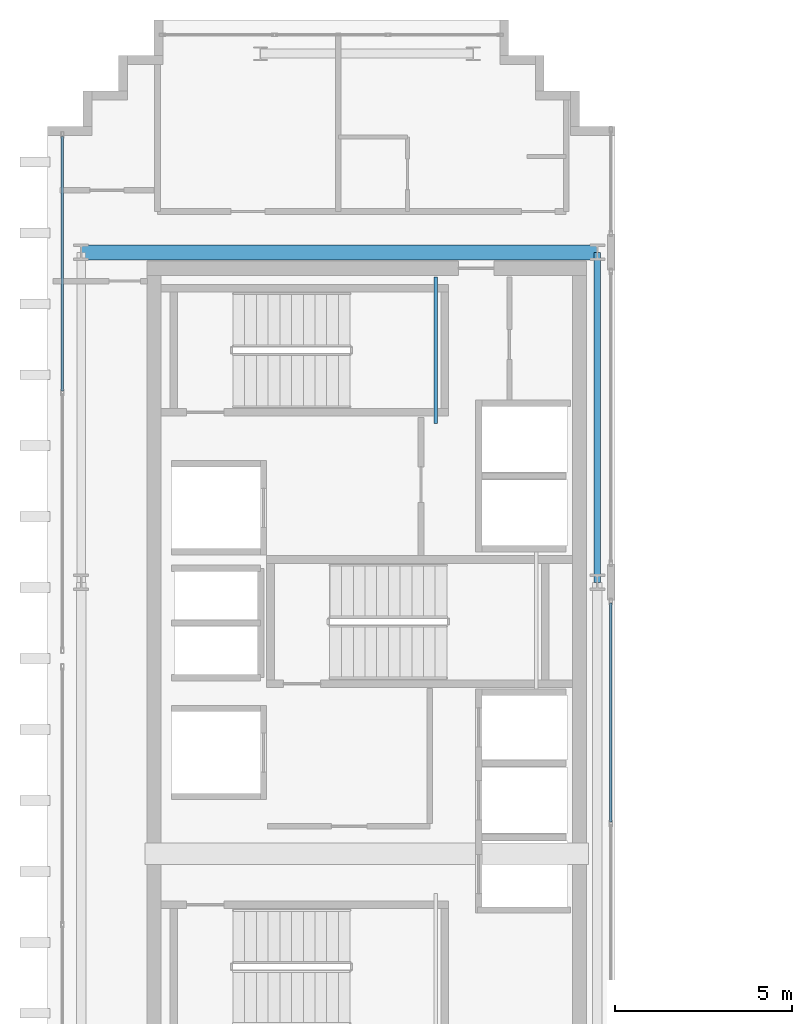
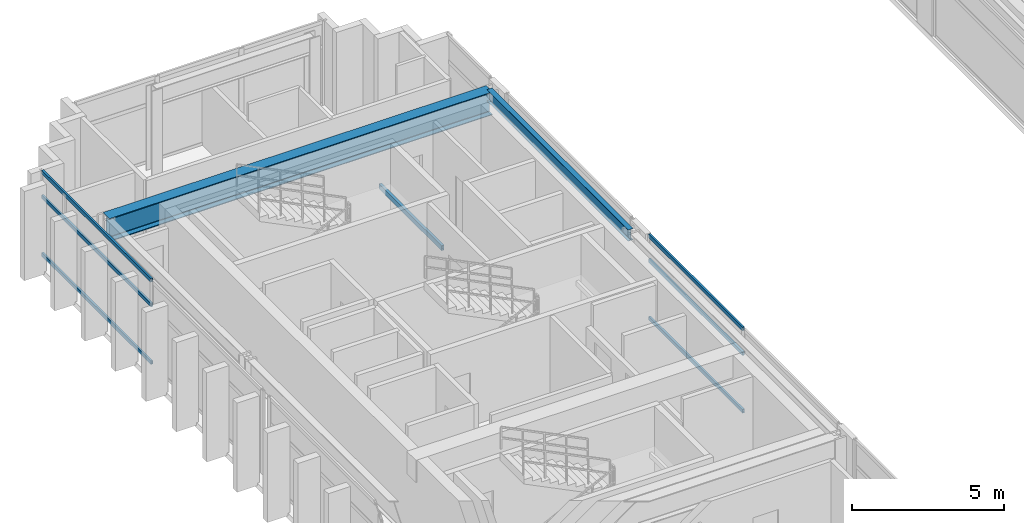
# One storey, part 6 of 25: 6 members, 3 beams, 2 elements without a shape of their own.
"""IFC4 building model written with IfcOpenShell, lengths in metres."""

import ifcopenshell
import ifcopenshell.guid

model = None  # the IFC model being written
_history = None  # IfcOwnerHistory: only IFC2X3 demands one
_inside = {}  # id of a spatial element -> (the spatial element, [elements in it])
_under = {}  # id of a project, library or spatial element -> (it, [spatial elements below it])
_declared = {}  # id of a project -> (the project, [libraries it declares])
_typed = {}  # id of a type object -> (the type object, [elements of that type])
_made_of = {}  # id of a material, layer set ... -> (it, [elements and type objects made of it])


def new_model(schema):
    """Start an empty IFC model of exactly this schema.

    Asked for "IFC4X3", IfcOpenShell would pick the latest addendum, in which some entities
    have other attributes; the version numbers below select the first issue.
    IFC2X3 requires an IfcOwnerHistory on every rooted entity: one is made here for all.
    """
    global model, _history
    if schema == "IFC4X3":
        model = ifcopenshell.file(schema_version=(4, 3, 0, 0))
    else:
        model = ifcopenshell.file(schema=schema)
    _inside.clear()
    _under.clear()
    _declared.clear()
    _typed.clear()
    _made_of.clear()
    _history = None
    if model.schema == "IFC2X3":
        org = make("IfcOrganization", Name="unknown")
        user = make(
            "IfcPersonAndOrganization",
            ThePerson=make("IfcPerson", FamilyName="unknown"),
            TheOrganization=org,
        )
        app = make(
            "IfcApplication",
            ApplicationDeveloper=org,
            Version="unknown",
            ApplicationFullName="unknown",
            ApplicationIdentifier="unknown",
        )
        _history = make(
            "IfcOwnerHistory",
            OwningUser=user,
            OwningApplication=app,
            ChangeAction="ADDED",
            CreationDate=0,
        )
    return model


def make(cls, **values):
    """One entity of the class cls with the attributes given. An attribute that is None is left unset."""
    return model.create_entity(
        cls, **{name: value for name, value in values.items() if value is not None}
    )


def rooted(cls, **values):
    """An entity with a GlobalId (a new one), such as an element, a storey or a relation."""
    return make(cls, GlobalId=ifcopenshell.guid.new(), OwnerHistory=_history, **values)


def si_unit(unit_type, name, prefix=None):
    """IfcSIUnit, for example si_unit("LENGTHUNIT", "METRE", prefix="MILLI")."""
    return make("IfcSIUnit", UnitType=unit_type, Prefix=prefix, Name=name)


def assignment(units):
    """IfcUnitAssignment: the units of a project."""
    return None if units is None else make("IfcUnitAssignment", Units=units)


def point(xyz):
    """IfcCartesianPoint."""
    return None if xyz is None else make("IfcCartesianPoint", Coordinates=xyz)


def direction(xyz):
    """IfcDirection."""
    return None if xyz is None else make("IfcDirection", DirectionRatios=xyz)


def frame(location, z_axis=None, x_axis=None):
    """IfcAxis2Placement3D, a coordinate frame: its origin and axes. An axis left out is left unset."""
    return make(
        "IfcAxis2Placement3D",
        Location=point(location),
        Axis=direction(z_axis),
        RefDirection=direction(x_axis),
    )


def frame_2d(location, x_axis=None):
    """IfcAxis2Placement2D, a coordinate frame in the plane: its origin and x axis."""
    return make(
        "IfcAxis2Placement2D", Location=point(location), RefDirection=direction(x_axis)
    )


def origin():
    """The frame at (0, 0, 0) with its axes left unset."""
    return frame((0.0, 0.0, 0.0))


def origin_2d():
    """The frame at (0, 0) in the plane with its x axis left unset."""
    return frame_2d((0.0, 0.0))


def place(relative_to, where):
    """IfcLocalPlacement: puts the frame where relative to a parent placement (None: the world)."""
    return make(
        "IfcLocalPlacement", PlacementRelTo=relative_to, RelativePlacement=where
    )


def context(
    kind, dimensions, precision=None, world=None, true_north=None, identifier=None
):
    """IfcGeometricRepresentationContext, for example the 3D "Model" context."""
    return make(
        "IfcGeometricRepresentationContext",
        ContextIdentifier=identifier,
        ContextType=kind,
        CoordinateSpaceDimension=dimensions,
        Precision=precision,
        WorldCoordinateSystem=world,
        TrueNorth=true_north,
    )


def subcontext(parent, identifier, kind, view, scale=None):
    """IfcGeometricRepresentationSubContext, for example "Body" below "Model"."""
    return make(
        "IfcGeometricRepresentationSubContext",
        ContextIdentifier=identifier,
        ContextType=kind,
        ParentContext=parent,
        TargetScale=scale,
        TargetView=view,
    )


def project(units=None, contexts=None):
    """IfcProject with its units and contexts."""
    return rooted(
        "IfcProject",
        Name="project",
        RepresentationContexts=contexts,
        UnitsInContext=assignment(units),
    )


def spatial(cls, under=None, at=None, **own):
    """A site, building, storey or space (cls), placed at a placement, below another one or the project."""
    s = rooted(cls, ObjectPlacement=at, **own)
    if under is not None:
        _under.setdefault(under.id(), (under, []))[1].append(s)
    return s


def profile(cls, at=None, kind="AREA", **sizes):
    """A parametric profile (cls). Its sizes go by their IFC names, for example OverallWidth=200.0."""
    return make(cls, ProfileType=kind, Position=at, **sizes)


def hollow_rectangle(**sizes):
    """IfcRectangleHollowProfileDef."""
    return profile("IfcRectangleHollowProfileDef", **sizes)


def i_section(**sizes):
    """IfcIShapeProfileDef."""
    return profile("IfcIShapeProfileDef", **sizes)


def extrude(swept, where, along, depth):
    """IfcExtrudedAreaSolid: the profile swept, set in the frame where, extruded along a direction by depth."""
    return make(
        "IfcExtrudedAreaSolid",
        SweptArea=swept,
        Position=where,
        ExtrudedDirection=direction(along),
        Depth=depth,
    )


def shape(context_of_items, identifier, shape_type, items):
    """IfcShapeRepresentation: the items that make up one representation, for example the "Body"."""
    return make(
        "IfcShapeRepresentation",
        ContextOfItems=context_of_items,
        RepresentationIdentifier=identifier,
        RepresentationType=shape_type,
        Items=items,
    )


def source(mapping_origin, context_of_items, identifier, shape_type, items):
    """IfcRepresentationMap: a shape defined once, which mapped items show again and again."""
    return make(
        "IfcRepresentationMap",
        MappingOrigin=mapping_origin,
        MappedRepresentation=shape(context_of_items, identifier, shape_type, items),
    )


def transform(
    local_origin,
    x_axis=None,
    y_axis=None,
    z_axis=None,
    scale=None,
    scale2=None,
    scale3=None,
    uniform=True,
):
    """IfcCartesianTransformationOperator3D, or its non-uniform kind. x_axis, y_axis, z_axis: its Axis1, 2, 3."""
    if uniform:
        return make(
            "IfcCartesianTransformationOperator3D",
            Axis1=direction(x_axis),
            Axis2=direction(y_axis),
            LocalOrigin=point(local_origin),
            Scale=scale,
            Axis3=direction(z_axis),
        )
    return make(
        "IfcCartesianTransformationOperator3DnonUniform",
        Axis1=direction(x_axis),
        Axis2=direction(y_axis),
        LocalOrigin=point(local_origin),
        Scale=scale,
        Axis3=direction(z_axis),
        Scale2=scale2,
        Scale3=scale3,
    )


def mapped(mapping_source, mapping_target):
    """IfcMappedItem: shows the shape of a source again, moved by a transform."""
    return make(
        "IfcMappedItem", MappingSource=mapping_source, MappingTarget=mapping_target
    )


def material(Name=None, Category=None):
    """IfcMaterial."""
    return make("IfcMaterial", Name=Name, Category=Category)


def layer(
    of_material, thickness, ventilated=None, Name=None, Category=None, Priority=None
):
    """IfcMaterialLayer: one layer of a wall or slab, of a material (None: an air gap)."""
    return make(
        "IfcMaterialLayer",
        Material=of_material,
        LayerThickness=thickness,
        IsVentilated=ventilated,
        Name=Name,
        Category=Category,
        Priority=Priority,
    )


def layer_set(layers, Name=None):
    """IfcMaterialLayerSet."""
    return make("IfcMaterialLayerSet", MaterialLayers=layers, LayerSetName=Name)


def material_profile(
    of_material, cross_section, Name=None, Category=None, Priority=None
):
    """IfcMaterialProfile: a cross section and its material."""
    return make(
        "IfcMaterialProfile",
        Name=Name,
        Material=of_material,
        Profile=cross_section,
        Priority=Priority,
        Category=Category,
    )


def profile_set(profiles, Name=None, composite=None):
    """IfcMaterialProfileSet."""
    return make(
        "IfcMaterialProfileSet",
        Name=Name,
        MaterialProfiles=profiles,
        CompositeProfile=composite,
    )


def made_of(thing, what):
    """Note that an element or type object is made of a material, layer set ...; save() writes the relation."""
    if what is not None:
        _made_of.setdefault(what.id(), (what, []))[1].append(thing)
    return thing


def type_object(cls, material=None, **own):
    """A type object (cls), such as IfcWallType, which elements share."""
    return made_of(rooted(cls, **own), material)


def element(
    cls,
    number,
    at=None,
    inside=None,
    cuts=None,
    type_object=None,
    material=None,
    context=None,
    identifier="Body",
    shape_type=None,
    held_by="IfcProductDefinitionShape",
    body=None,
    shapes=None,
    **own,
):
    """One element of the class cls, such as IfcWall. Its Tag is "e" and its number.

    at: its placement. inside: the storey or other place that contains it. cuts: it is an
    opening in that element (IfcRelVoidsElement). A single representation is given by context,
    identifier, shape_type and body (its items); several are given by shapes. held_by: the class
    of the entity that holds the representations. save() writes the other relations.
    """
    e = rooted(cls, Tag="e%d" % number, ObjectPlacement=at, **own)
    if body is not None:
        shapes = [shape(context, identifier, shape_type, body)]
    if shapes is not None:
        e.Representation = make(held_by, Representations=shapes)
    if inside is not None:
        _inside.setdefault(inside.id(), (inside, []))[1].append(e)
    if cuts is not None:
        rooted(
            "IfcRelVoidsElement", RelatingBuildingElement=cuts, RelatedOpeningElement=e
        )
    if type_object is not None:
        _typed.setdefault(type_object.id(), (type_object, []))[1].append(e)
    return made_of(e, material)


def aggregate(whole, parts):
    """IfcRelAggregates: a whole, such as a stair, and the parts it consists of."""
    return rooted("IfcRelAggregates", RelatingObject=whole, RelatedObjects=parts)


def save(model, path):
    """Write the relations noted so far, then the file.

    IfcRelAggregates (storeys below a building ...), IfcRelContainedInSpatialStructure (elements
    in a storey), IfcRelDefinesByType, IfcRelAssociatesMaterial and IfcRelDeclares: one each for
    every whole, place, type object, material and project.
    """
    for whole, parts in _under.values():
        aggregate(whole, parts)
    for where, things in _inside.values():
        rooted(
            "IfcRelContainedInSpatialStructure",
            RelatedElements=things,
            RelatingStructure=where,
        )
    for kind, things in _typed.values():
        rooted("IfcRelDefinesByType", RelatedObjects=things, RelatingType=kind)
    for what, things in _made_of.values():
        rooted("IfcRelAssociatesMaterial", RelatedObjects=things, RelatingMaterial=what)
    for by, libraries in _declared.values():
        rooted("IfcRelDeclares", RelatingContext=by, RelatedDefinitions=libraries)
    model.write(path)


model = new_model("IFC4")

# Units and contexts
model_context = context("Model", 3, precision=1e-05, world=origin(), true_north=direction((0.0, 1.0)))
body_context = subcontext(model_context, "Body", "Model", "MODEL_VIEW")
ifc_project = project(units=[si_unit("LENGTHUNIT", "METRE"), si_unit("AREAUNIT", "SQUARE_METRE"), si_unit("VOLUMEUNIT", "CUBIC_METRE"), si_unit("PLANEANGLEUNIT", "RADIAN"), si_unit("MASSUNIT", "GRAM", prefix="KILO")], contexts=[model_context])

# Site, building, storey
site_placement = place(None, origin())
site = spatial("IfcSite", under=ifc_project, at=site_placement, CompositionType="ELEMENT")
building_placement = place(site_placement, origin())
building = spatial("IfcBuilding", under=site, at=building_placement, Name="Ocotamira Hotel", CompositionType="ELEMENT")
storey_placement = place(building_placement, frame((0.0, 0.0, 258.0)))
storey = spatial("IfcBuildingStorey", under=building, at=storey_placement, Name="L65", CompositionType="ELEMENT", Elevation=258.0)

# Beams
ifc_material_1 = material(Name="Steel ASTM A500 Grade C", Category="steel")
ifc_material_profile_1 = material_profile(ifc_material_1, hollow_rectangle(XDim=0.10009765625, YDim=0.199951171875, WallThickness=0.008056640625, at=origin_2d()), Name="HSS200X100X8")
ifc_profile_set_1 = profile_set([ifc_material_profile_1], Name="Steel ASTM A500 Grade C")
beam_type_1 = type_object("IfcBeamType", Name="BM-STLDG-HSS200", PredefinedType="BEAM", material=ifc_profile_set_1)
shared_shape_1 = source(origin(), body_context, "Body", "SweptSolid", [
    extrude(hollow_rectangle(XDim=0.10009765625, YDim=0.199951171875, WallThickness=0.008056640625, at=origin_2d()), origin(), (0.0, 0.0, 1.0), 4.1201171875),
])
beam_1_placement = place(storey_placement, frame((18.949951171875, 32.6298828125, 1.5), z_axis=(0.0, 1.0, 0.0), x_axis=(-1.0, 0.0, 0.0)))
element("IfcBeam", 1, at=beam_1_placement, inside=storey, type_object=beam_type_1, Name="L65 Stair ST-2 Landing Bearer 1", PredefinedType="BEAM", context=body_context, shape_type="MappedRepresentation", body=[
    mapped(shared_shape_1, transform((0.0, 0.0, 0.0), scale=1.0)),
])
ifc_material_2 = material(Name="Steel ASTM A992 Grade 50", Category="steel")
ifc_material_profile_2 = material_profile(ifc_material_2, i_section(OverallWidth=0.41796875, OverallDepth=0.927001953125, WebThickness=0.019287109375, FlangeThickness=0.031982421875, FilletRadius=0.02392578125, at=origin_2d()), Name="W36X231")
ifc_profile_set_2 = profile_set([ifc_material_profile_2], Name="Steel ASTM A992 Grade 50")
beam_type_2 = type_object("IfcBeamType", Name="BM-GIRD-W36X231", PredefinedType="BEAM", material=ifc_profile_set_2)
shared_shape_2 = source(origin(), body_context, "Body", "SweptSolid", [
    extrude(i_section(OverallWidth=0.41796875, OverallDepth=0.927001953125, WebThickness=0.019287109375, FlangeThickness=0.031982421875, FilletRadius=0.02392578125, at=origin_2d()), origin(), (0.0, 0.0, 1.0), 14.550048828125),
])
beam_2_placement = place(storey_placement, frame((8.949951171875, 37.449951171875, 2.91650390625), z_axis=(1.0, 0.0, 0.0), x_axis=(0.0, 1.0, 0.0)))
element("IfcBeam", 2, at=beam_2_placement, inside=storey, type_object=beam_type_2, Name="L65 Girder Y37.45 X8.95-23.5", PredefinedType="BEAM", context=body_context, shape_type="MappedRepresentation", body=[
    mapped(shared_shape_2, transform((0.0, 0.0, 0.0), scale=1.0)),
])
ifc_material_profile_3 = material_profile(ifc_material_2, i_section(OverallWidth=0.18994140625, OverallDepth=0.45703125, WebThickness=0.009033203125, FlangeThickness=0.014404296875, FilletRadius=0.010009765625, at=origin_2d()), Name="W18X50")
ifc_profile_set_3 = profile_set([ifc_material_profile_3], Name="Steel ASTM A992 Grade 50")
beam_type_3 = type_object("IfcBeamType", Name="BM-SEC-W18X50", PredefinedType="JOIST", material=ifc_profile_set_3)
shared_shape_3 = source(origin(), body_context, "Body", "SweptSolid", [
    extrude(i_section(OverallWidth=0.18994140625, OverallDepth=0.45703125, WebThickness=0.009033203125, FlangeThickness=0.014404296875, FilletRadius=0.010009765625, at=origin_2d()), origin(), (0.0, 0.0, 1.0), 9.300048828125),
])
beam_3_placement = place(storey_placement, frame((23.5, 28.14990234375, 3.151611328125), z_axis=(0.0, 1.0, 0.0), x_axis=(-1.0, 0.0, 0.0)))
element("IfcBeam", 3, at=beam_3_placement, inside=storey, type_object=beam_type_3, Name="L65 Beam X23.5 Y28.15-37.45", PredefinedType="JOIST", context=body_context, shape_type="MappedRepresentation", body=[
    mapped(shared_shape_3, transform((0.0, 0.0, 0.0), scale=1.0)),
])

# Curtain wall, members
ifc_material_3 = material(Name="Anodised pale-metal aluminium and solar glass", Category="aluminium")
ifc_layer = layer(ifc_material_3, 0.2099609375)
ifc_layer_set = layer_set([ifc_layer], Name="Anodised pale-metal aluminium and solar glass")
curtain_wall_type = type_object("IfcCurtainWallType", Name="CW-SYS7-PEAK", PredefinedType="NOTDEFINED", material=ifc_layer_set)
curtain_wall_1_placement = place(storey_placement, origin())
curtain_wall_1 = element("IfcCurtainWall", 4, at=curtain_wall_1_placement, inside=storey, type_object=curtain_wall_type, Name="L65 Curtain Wall CW-7 CW-L65-WO2", PredefinedType="NOTDEFINED")
ifc_material_4 = material(Name="Anodised pale-metal aluminium 6063-T6", Category="aluminium")
ifc_material_profile_4 = material_profile(ifc_material_4, hollow_rectangle(XDim=0.074951171875, YDim=0.14990234375, WallThickness=0.006103515625, at=origin_2d()), Name="HSS150X75X6")
ifc_profile_set_4 = profile_set([ifc_material_profile_4], Name="Anodised pale-metal aluminium 6063-T6")
member_type = type_object("IfcMemberType", Name="CWT-150X75", PredefinedType="USERDEFINED", material=ifc_profile_set_4)
shared_shape_4 = source(origin(), body_context, "Body", "SweptSolid", [
    extrude(hollow_rectangle(XDim=0.074951171875, YDim=0.14990234375, WallThickness=0.006103515625, at=origin_2d()), origin(), (0.0, 0.0, 1.0), 7.179931640625),
])
member_1_placement = place(storey_placement, frame((8.419921875, 33.5400390625, 0.03759765625), z_axis=(0.0, 1.0, 0.0), x_axis=(-1.0, 0.0, 0.0)))
member_1 = element("IfcMember", 5, at=member_1_placement, type_object=member_type, Name="CW-7 transom 2.1", ObjectType="TRANSOM", PredefinedType="USERDEFINED", context=body_context, shape_type="MappedRepresentation", body=[
    mapped(shared_shape_4, transform((0.0, 0.0, 0.0), scale=1.0)),
])
member_2_placement = place(storey_placement, frame((8.419921875, 33.5400390625, 2.35009765625), z_axis=(0.0, 1.0, 0.0), x_axis=(-1.0, 0.0, 0.0)))
member_2 = element("IfcMember", 6, at=member_2_placement, type_object=member_type, Name="CW-7 transom 2.2", ObjectType="TRANSOM", PredefinedType="USERDEFINED", context=body_context, shape_type="MappedRepresentation", body=[
    mapped(shared_shape_4, transform((0.0, 0.0, 0.0), scale=1.0)),
])
member_3_placement = place(storey_placement, frame((8.419921875, 33.5400390625, 3.342529296875), z_axis=(0.0, 1.0, 0.0), x_axis=(-1.0, 0.0, 0.0)))
member_3 = element("IfcMember", 7, at=member_3_placement, type_object=member_type, Name="CW-7 transom 2.3", ObjectType="TRANSOM", PredefinedType="USERDEFINED", context=body_context, shape_type="MappedRepresentation", body=[
    mapped(shared_shape_4, transform((0.0, 0.0, 0.0), scale=1.0)),
])
aggregate(curtain_wall_1, [member_1, member_2, member_3])

curtain_wall_2_placement = place(storey_placement, origin())
curtain_wall_2 = element("IfcCurtainWall", 8, at=curtain_wall_2_placement, inside=storey, type_object=curtain_wall_type, Name="L65 Curtain Wall CW-7 CW-L65-WI2", PredefinedType="NOTDEFINED")
shared_shape_5 = source(origin(), body_context, "Body", "SweptSolid", [
    extrude(hollow_rectangle(XDim=0.074951171875, YDim=0.14990234375, WallThickness=0.006103515625, at=origin_2d()), origin(), (0.0, 0.0, 1.0), 6.18017578125),
])
member_4_placement = place(storey_placement, frame((23.8798828125, 21.389892578125, 0.03759765625), z_axis=(0.0, 1.0, 0.0), x_axis=(-1.0, 0.0, 0.0)))
member_4 = element("IfcMember", 9, at=member_4_placement, type_object=member_type, Name="CW-7 transom 2.1", ObjectType="TRANSOM", PredefinedType="USERDEFINED", context=body_context, shape_type="MappedRepresentation", body=[
    mapped(shared_shape_5, transform((0.0, 0.0, 0.0), scale=1.0)),
])
member_5_placement = place(storey_placement, frame((23.8798828125, 21.389892578125, 2.35009765625), z_axis=(0.0, 1.0, 0.0), x_axis=(-1.0, 0.0, 0.0)))
member_5 = element("IfcMember", 10, at=member_5_placement, type_object=member_type, Name="CW-7 transom 2.2", ObjectType="TRANSOM", PredefinedType="USERDEFINED", context=body_context, shape_type="MappedRepresentation", body=[
    mapped(shared_shape_5, transform((0.0, 0.0, 0.0), scale=1.0)),
])
member_6_placement = place(storey_placement, frame((23.8798828125, 21.389892578125, 3.342529296875), z_axis=(0.0, 1.0, 0.0), x_axis=(-1.0, 0.0, 0.0)))
member_6 = element("IfcMember", 11, at=member_6_placement, type_object=member_type, Name="CW-7 transom 2.3", ObjectType="TRANSOM", PredefinedType="USERDEFINED", context=body_context, shape_type="MappedRepresentation", body=[
    mapped(shared_shape_5, transform((0.0, 0.0, 0.0), scale=1.0)),
])
aggregate(curtain_wall_2, [member_4, member_5, member_6])

save(model, "model.ifc")
